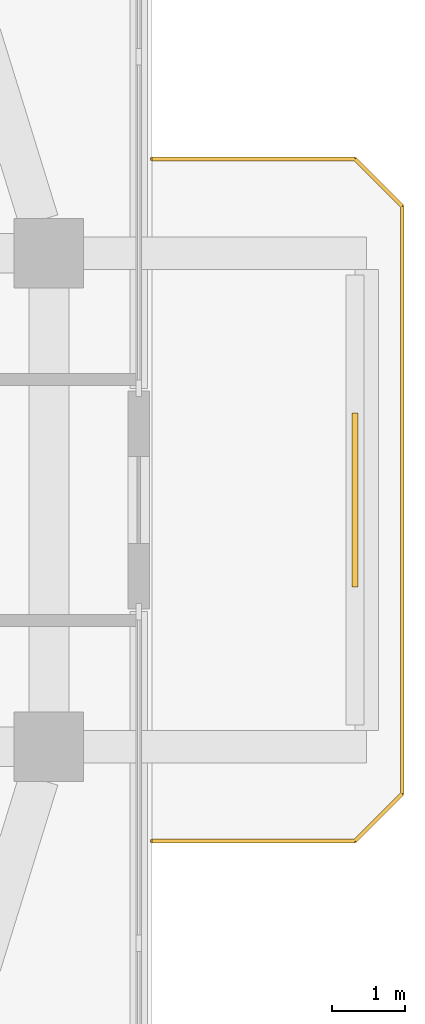
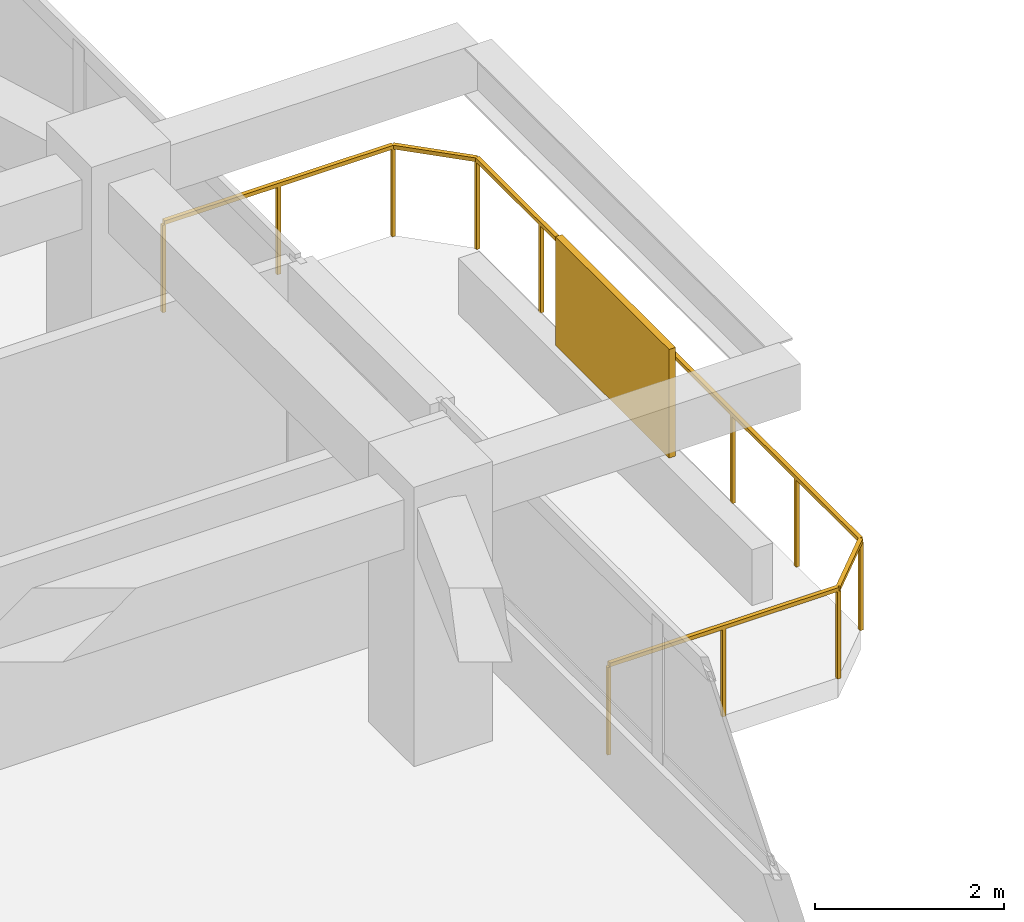
# One storey, part 12 of 12: 1 railing, 1 shading device.
"""IFC4 building model written with IfcOpenShell, lengths in metres."""

from ifc_helpers import new_model, si_unit, derived_unit, direction, frame, origin, origin_2d, place, context, subcontext, project, spatial, rectangle, extrude, material, layer, layer_set, type_object, element, save


model = new_model("IFC4")

# Units and contexts
model_context = context("Model", 3, precision=1e-05, world=origin(), true_north=direction((0.0, 1.0)))
body_context = subcontext(model_context, "Body", "Model", "MODEL_VIEW")
ifc_project = project(units=[si_unit("LENGTHUNIT", "METRE"), si_unit("AREAUNIT", "SQUARE_METRE"), si_unit("VOLUMEUNIT", "CUBIC_METRE"), si_unit("PLANEANGLEUNIT", "RADIAN"), si_unit("MASSUNIT", "GRAM", prefix="KILO"), derived_unit("THERMALTRANSMITTANCEUNIT", [(si_unit("POWERUNIT", "WATT"), 1), (si_unit("LENGTHUNIT", "METRE"), -2), (si_unit("THERMODYNAMICTEMPERATUREUNIT", "KELVIN"), -1)])], contexts=[model_context])

# Site, building, storey
site_placement = place(None, origin())
site = spatial("IfcSite", under=ifc_project, at=site_placement, CompositionType="ELEMENT")
building_placement = place(site_placement, origin())
building = spatial("IfcBuilding", under=site, at=building_placement, Name="Koralith Skygarden Medical Center", CompositionType="ELEMENT")
storey_placement = place(building_placement, frame((0.0, 0.0, 170.820068359375)))
storey = spatial("IfcBuildingStorey", under=building, at=storey_placement, Name="L44", CompositionType="ELEMENT", Elevation=170.820068359375)

# Railing
ifc_material_1 = material(Name="Steel ASTM A500 Grade C", Category="steel")
railing_type = type_object("IfcRailingType", Name="Outdoor Terrace & Balcony Safety Guardrail 1180", PredefinedType="GUARDRAIL", material=ifc_material_1)
railing_placement = place(storey_placement, frame((60.48388671875, 21.199951171875, 0.0)))
element("IfcRailing", 1, at=railing_placement, inside=storey, type_object=railing_type, Name="L44 E Balcony Perimeter Guardrail", PredefinedType="GUARDRAIL", context=body_context, shape_type="SweptSolid", body=[
    extrude(rectangle(XDim=0.050048828125, YDim=0.050048828125, at=origin_2d()), frame((0.001953125, 0.0, 1.15478515625), z_axis=(1.0, 0.0, 0.0), x_axis=(0.0, 1.0, 0.0)), (0.0, 0.0, 1.0), 2.796142578125),
    extrude(rectangle(XDim=0.050048828125, YDim=0.050048828125, at=origin_2d()), frame((2.801513671875, 0.00146484375, 1.15478515625), z_axis=(0.707106781187, 0.707106781187, 0.0), x_axis=(-0.707106781187, 0.707106781187, 0.0)), (0.0, 0.0, 1.0), 0.91552734375),
    extrude(rectangle(XDim=0.050048828125, YDim=0.050048828125, at=origin_2d()), frame((3.4501953125, 0.652099609375, 1.15478515625), z_axis=(0.0, 1.0, 0.0), x_axis=(-1.0, 0.0, 0.0)), (0.0, 0.0, 1.0), 8.095947265625),
    extrude(rectangle(XDim=0.050048828125, YDim=0.050048828125, at=origin_2d()), frame((3.44873046875, 8.75146484375, 1.15478515625), z_axis=(-0.707106781187, 0.707106781187, 0.0), x_axis=(-0.707106781187, -0.707106781187, 0.0)), (0.0, 0.0, 1.0), 0.91552734375),
    extrude(rectangle(XDim=0.050048828125, YDim=0.050048828125, at=origin_2d()), frame((2.798095703125, 9.400146484375, 1.15478515625), z_axis=(-1.0, 0.0, 0.0), x_axis=(0.0, -1.0, 0.0)), (0.0, 0.0, 1.0), 2.796142578125),
    extrude(rectangle(XDim=0.0419921875, YDim=0.0419921875, at=origin_2d()), origin(), (0.0, 0.0, 1.0), 1.1279296875),
    extrude(rectangle(XDim=0.0419921875, YDim=0.0419921875, at=origin_2d()), frame((1.39990234375, 0.0, 0.0)), (0.0, 0.0, 1.0), 1.1279296875),
    extrude(rectangle(XDim=0.0419921875, YDim=0.0419921875, at=origin_2d()), frame((2.800048828125, 0.0, 0.0)), (0.0, 0.0, 1.0), 1.1279296875),
    extrude(rectangle(XDim=0.0419921875, YDim=0.0419921875, at=origin_2d()), frame((3.4501953125, 0.650146484375, 0.0)), (0.0, 0.0, 1.0), 1.1279296875),
    extrude(rectangle(XDim=0.0419921875, YDim=0.0419921875, at=origin_2d()), frame((3.4501953125, 2.0, 0.0)), (0.0, 0.0, 1.0), 1.1279296875),
    extrude(rectangle(XDim=0.0419921875, YDim=0.0419921875, at=origin_2d()), frame((3.4501953125, 3.35009765625, 0.0)), (0.0, 0.0, 1.0), 1.1279296875),
    extrude(rectangle(XDim=0.0419921875, YDim=0.0419921875, at=origin_2d()), frame((3.4501953125, 4.7001953125, 0.0)), (0.0, 0.0, 1.0), 1.1279296875),
    extrude(rectangle(XDim=0.0419921875, YDim=0.0419921875, at=origin_2d()), frame((3.4501953125, 6.050048828125, 0.0)), (0.0, 0.0, 1.0), 1.1279296875),
    extrude(rectangle(XDim=0.0419921875, YDim=0.0419921875, at=origin_2d()), frame((3.4501953125, 7.39990234375, 0.0)), (0.0, 0.0, 1.0), 1.1279296875),
    extrude(rectangle(XDim=0.0419921875, YDim=0.0419921875, at=origin_2d()), frame((3.4501953125, 8.75, 0.0)), (0.0, 0.0, 1.0), 1.1279296875),
    extrude(rectangle(XDim=0.0419921875, YDim=0.0419921875, at=origin_2d()), frame((2.800048828125, 9.400146484375, 0.0)), (0.0, 0.0, 1.0), 1.1279296875),
    extrude(rectangle(XDim=0.0419921875, YDim=0.0419921875, at=origin_2d()), frame((1.39990234375, 9.400146484375, 0.0)), (0.0, 0.0, 1.0), 1.1279296875),
    extrude(rectangle(XDim=0.0419921875, YDim=0.0419921875, at=origin_2d()), frame((0.0, 9.400146484375, 0.0)), (0.0, 0.0, 1.0), 1.1279296875),
])

# Shading device
ifc_material_2 = material(Name="Aluminium 6063-T6", Category="aluminium")
ifc_layer = layer(ifc_material_2, 0.080078125)
ifc_layer_set = layer_set([ifc_layer], Name="Aluminium 6063-T6")
shading_device_type = type_object("IfcShadingDeviceType", Name="Perforated Biophilic Balcony Trellis Screen", PredefinedType="USERDEFINED", material=ifc_layer_set)
shading_device_placement = place(storey_placement, frame((63.283935546875, 25.89990234375, 0.719970703125), z_axis=(0.0, 0.0, 1.0), x_axis=(0.0, 1.0, 0.0)))
element("IfcShadingDevice", 2, at=shading_device_placement, inside=storey, type_object=shading_device_type, Name="L44 E Biophilic Balcony Trellis Screen", ObjectType="HURRICANE SCREEN", PredefinedType="USERDEFINED", context=body_context, shape_type="SweptSolid", body=[
    extrude(rectangle(XDim=2.39990234375, YDim=0.080078125, at=origin_2d()), origin(), (0.0, 0.0, 1.0), 1.39990234375),
])

save(model, "model.ifc")
